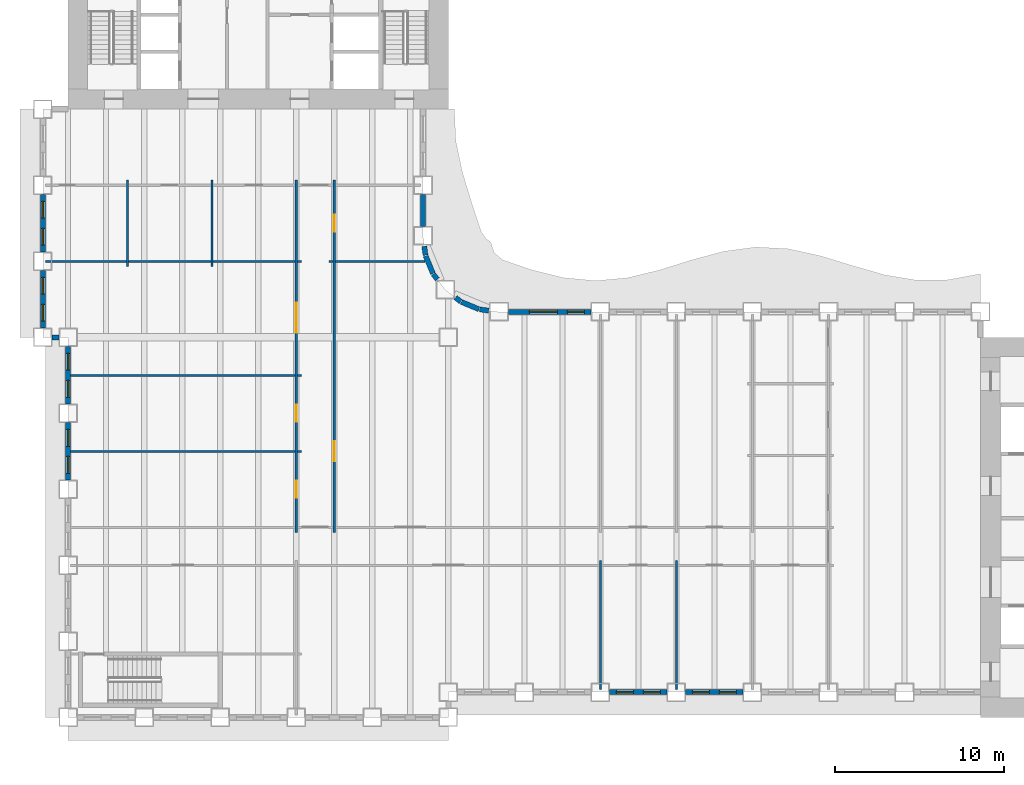
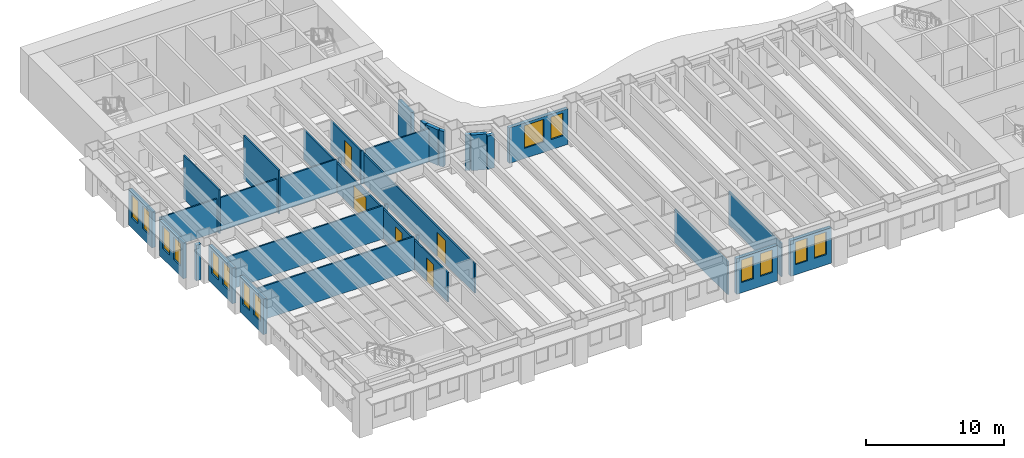
# One storey, part 4 of 15: 31 walls, 14 windows, 5 doors, 19 openings.
"""IFC4 building model written with IfcOpenShell, lengths in metres."""

from ifc_helpers import new_model, si_unit, direction, frame, frame_2d, origin, place, context, subcontext, project, spatial, rectangle, extrude, material, layer, layer_set, type_object, element, fill, save


model = new_model("IFC4")

# Units and contexts
model_context = context("Model", 3, precision=1e-05, world=origin(), true_north=direction((0.0, 1.0)))
body_context = subcontext(model_context, "Body", "Model", "MODEL_VIEW")
ifc_project = project(units=[si_unit("LENGTHUNIT", "METRE"), si_unit("AREAUNIT", "SQUARE_METRE"), si_unit("VOLUMEUNIT", "CUBIC_METRE"), si_unit("PLANEANGLEUNIT", "RADIAN"), si_unit("MASSUNIT", "GRAM", prefix="KILO")], contexts=[model_context])

# Site, building, storey
site_placement = place(None, origin())
site = spatial("IfcSite", under=ifc_project, at=site_placement, CompositionType="ELEMENT")
building_placement = place(site_placement, origin())
building = spatial("IfcBuilding", under=site, at=building_placement, Name="Sennacour Bend Tower", CompositionType="ELEMENT")
storey_placement = place(building_placement, frame((0.0, 0.0, 61.0)))
storey = spatial("IfcBuildingStorey", under=building, at=storey_placement, Name="L13", CompositionType="ELEMENT", Elevation=61.0)

# Walls
ifc_material_1 = material(Name="Plasterboard partition on steel studs", Category="steel")
ifc_layer_1 = layer(ifc_material_1, 0.1201171875, Name="Plasterboard partition on steel studs", Category="steel")
ifc_layer_set_1 = layer_set([ifc_layer_1], Name="Plasterboard partition on steel studs")
wall_type_1 = type_object("IfcWallType", Name="Partition 120", PredefinedType="PARTITIONING", material=ifc_layer_set_1)
for number, where, z_axis, x_axis, name in (
    (1, (3.5, 26.699951171875, 0.0), (0.0, 0.0, 1.0), (0.0, 1.0, 0.0), "P-L13-W004a"),
    (2, (8.5, 26.699951171875, 0.0), (0.0, 0.0, 1.0), (0.0, 1.0, 0.0), "P-L13-W008a"),
):
    element("IfcWall", number, at=place(storey_placement, frame(where, z_axis=z_axis, x_axis=x_axis)), inside=storey, type_object=wall_type_1, Name=name, PredefinedType="PARTITIONING", context=body_context, shape_type="SweptSolid", body=[
        extrude(rectangle(XDim=5.10009765625, YDim=0.1201171875, at=frame_2d((2.550048828125, 0.0))), origin(), (0.0, 0.0, 1.0), 3.85009765625),
    ])

# Wall, openings, doors
wall_1_placement = place(storey_placement, frame((13.5, 10.949951171875, 0.0), z_axis=(0.0, 0.0, 1.0), x_axis=(0.0, 1.0, 0.0)))
wall_1 = element("IfcWall", 3, at=wall_1_placement, inside=storey, type_object=wall_type_1, Name="P-L13-W013a", PredefinedType="PARTITIONING", context=body_context, shape_type="SweptSolid", body=[
    extrude(rectangle(XDim=20.85009765625, YDim=0.1201171875, at=frame_2d((10.425048828125, 0.0))), origin(), (0.0, 0.0, 1.0), 2.60009765625),
])
opening_1_placement = place(wall_1_placement, frame((2.050048828125, 0.0, 0.0)))
opening_1 = element("IfcOpeningElement", 4, at=opening_1_placement, cuts=wall_1, Name="Opening OD2", PredefinedType="OPENING", context=body_context, shape_type="SweptSolid", body=[
    extrude(rectangle(XDim=1.0, YDim=2.10009765625, at=frame_2d((0.5, 1.050048828125))), frame((0.0, 0.070068359375, 0.0), z_axis=(0.0, -1.0, 0.0), x_axis=(1.0, 0.0, 0.0)), (0.0, 0.0, 1.0), 0.14013671875),
])
opening_2_placement = place(wall_1_placement, frame((6.550048828125, 0.0, 0.0)))
opening_2 = element("IfcOpeningElement", 5, at=opening_2_placement, cuts=wall_1, Name="Opening OD2", PredefinedType="OPENING", context=body_context, shape_type="SweptSolid", body=[
    extrude(rectangle(XDim=1.0, YDim=2.10009765625, at=frame_2d((0.5, 1.050048828125))), frame((0.0, 0.070068359375, 0.0), z_axis=(0.0, -1.0, 0.0), x_axis=(1.0, 0.0, 0.0)), (0.0, 0.0, 1.0), 0.14013671875),
])
opening_3_placement = place(wall_1_placement, frame((11.804931640625, 0.0, 0.0)))
opening_3 = element("IfcOpeningElement", 6, at=opening_3_placement, cuts=wall_1, Name="Opening OD3", PredefinedType="OPENING", context=body_context, shape_type="SweptSolid", body=[
    extrude(rectangle(XDim=1.800048828125, YDim=2.10009765625, at=frame_2d((0.89990234375, 1.050048828125))), frame((0.0, 0.070068359375, 0.0), z_axis=(0.0, -1.0, 0.0), x_axis=(1.0, 0.0, 0.0)), (0.0, 0.0, 1.0), 0.14013671875),
])
ifc_material_2 = material(Name="Timber", Category="wood")
door_type_1 = type_object("IfcDoorType", Name="DR-OFFICE-1000", OperationType="NOTDEFINED", PredefinedType="DOOR", material=ifc_material_2)
door_1_placement = place(opening_1_placement, origin())
door_1 = element("IfcDoor", 7, at=door_1_placement, inside=storey, type_object=door_type_1, Name="Door", OperationType="SINGLE_SWING_LEFT", OverallHeight=2.10009765625, OverallWidth=1.0, PredefinedType="DOOR", context=body_context, shape_type="SweptSolid", body=[
    extrude(rectangle(XDim=1.0, YDim=2.10009765625, at=frame_2d((0.5, 1.050048828125))), frame((0.0, 0.02490234375, 0.0), z_axis=(0.0, -1.0, 0.0), x_axis=(1.0, 0.0, 0.0)), (0.0, 0.0, 1.0), 0.050048828125),
])
fill(opening_1, door_1)
door_2_placement = place(opening_2_placement, origin())
door_2 = element("IfcDoor", 8, at=door_2_placement, inside=storey, type_object=door_type_1, Name="Door", OperationType="SINGLE_SWING_LEFT", OverallHeight=2.10009765625, OverallWidth=1.0, PredefinedType="DOOR", context=body_context, shape_type="SweptSolid", body=[
    extrude(rectangle(XDim=1.0, YDim=2.10009765625, at=frame_2d((0.5, 1.050048828125))), frame((0.0, 0.02490234375, 0.0), z_axis=(0.0, -1.0, 0.0), x_axis=(1.0, 0.0, 0.0)), (0.0, 0.0, 1.0), 0.050048828125),
])
fill(opening_2, door_2)
door_type_2 = type_object("IfcDoorType", Name="DR-OFFICE-1800", OperationType="NOTDEFINED", PredefinedType="DOOR", material=ifc_material_2)
door_3_placement = place(opening_3_placement, origin())
door_3 = element("IfcDoor", 9, at=door_3_placement, inside=storey, type_object=door_type_2, Name="Door", OperationType="DOUBLE_DOOR_SINGLE_SWING", OverallHeight=2.10009765625, OverallWidth=1.800048828125, PredefinedType="DOOR", context=body_context, shape_type="SweptSolid", body=[
    extrude(rectangle(XDim=1.800048828125, YDim=2.10009765625, at=frame_2d((0.89990234375, 1.050048828125))), frame((0.0, 0.02490234375, 0.0), z_axis=(0.0, -1.0, 0.0), x_axis=(1.0, 0.0, 0.0)), (0.0, 0.0, 1.0), 0.050048828125),
])
fill(opening_3, door_3)

wall_2_placement = place(storey_placement, frame((15.75, 10.949951171875, 0.0), z_axis=(0.0, 0.0, 1.0), x_axis=(0.0, 1.0, 0.0)))
wall_2 = element("IfcWall", 10, at=wall_2_placement, inside=storey, type_object=wall_type_1, Name="P-L13-W017a", PredefinedType="PARTITIONING", context=body_context, shape_type="SweptSolid", body=[
    extrude(rectangle(XDim=20.85009765625, YDim=0.1201171875, at=frame_2d((10.425048828125, 0.0))), origin(), (0.0, 0.0, 1.0), 2.60009765625),
])
opening_4_placement = place(wall_2_placement, frame((17.800048828125, 0.0, 0.0)))
opening_4 = element("IfcOpeningElement", 11, at=opening_4_placement, cuts=wall_2, Name="Opening OD2", PredefinedType="OPENING", context=body_context, shape_type="SweptSolid", body=[
    extrude(rectangle(XDim=1.0, YDim=2.10009765625, at=frame_2d((0.5, 1.050048828125))), frame((0.0, 0.070068359375, 0.0), z_axis=(0.0, -1.0, 0.0), x_axis=(1.0, 0.0, 0.0)), (0.0, 0.0, 1.0), 0.14013671875),
])
opening_5_placement = place(wall_2_placement, frame((4.199951171875, 0.0, 0.0)))
opening_5 = element("IfcOpeningElement", 12, at=opening_5_placement, cuts=wall_2, Name="Opening OD", PredefinedType="OPENING", context=body_context, shape_type="SweptSolid", body=[
    extrude(rectangle(XDim=1.199951171875, YDim=2.10009765625, at=frame_2d((0.60009765625, 1.050048828125))), frame((0.0, 0.070068359375, 0.0), z_axis=(0.0, -1.0, 0.0), x_axis=(1.0, 0.0, 0.0)), (0.0, 0.0, 1.0), 0.14013671875),
])
door_4_placement = place(opening_4_placement, origin())
door_4 = element("IfcDoor", 13, at=door_4_placement, inside=storey, type_object=door_type_1, Name="Door", OperationType="SINGLE_SWING_RIGHT", OverallHeight=2.10009765625, OverallWidth=1.0, PredefinedType="DOOR", context=body_context, shape_type="SweptSolid", body=[
    extrude(rectangle(XDim=1.0, YDim=2.10009765625, at=frame_2d((0.5, 1.050048828125))), frame((0.0, 0.02490234375, 0.0), z_axis=(0.0, -1.0, 0.0), x_axis=(1.0, 0.0, 0.0)), (0.0, 0.0, 1.0), 0.050048828125),
])
fill(opening_4, door_4)
door_type_3 = type_object("IfcDoorType", Name="DR-OFFICE-1200", OperationType="NOTDEFINED", PredefinedType="DOOR", material=ifc_material_2)
door_5_placement = place(opening_5_placement, origin())
door_5 = element("IfcDoor", 14, at=door_5_placement, inside=storey, type_object=door_type_3, Name="Door", OperationType="SINGLE_SWING_LEFT", OverallHeight=2.10009765625, OverallWidth=1.199951171875, PredefinedType="DOOR", context=body_context, shape_type="SweptSolid", body=[
    extrude(rectangle(XDim=1.199951171875, YDim=2.10009765625, at=frame_2d((0.60009765625, 1.050048828125))), frame((0.0, 0.02490234375, 0.0), z_axis=(0.0, -1.0, 0.0), x_axis=(1.0, 0.0, 0.0)), (0.0, 0.0, 1.0), 0.050048828125),
])
fill(opening_5, door_5)

# Walls
for number, where, z_axis, x_axis, name in (
    (15, (31.5, 1.64990234375, 0.0), (0.0, 0.0, 1.0), (0.0, 1.0, 0.0), "P-L13-W023a"),
    (16, (36.0, 1.64990234375, 0.0), (0.0, 0.0, 1.0), (0.0, 1.0, 0.0), "P-L13-W025a"),
):
    element("IfcWall", number, at=place(storey_placement, frame(where, z_axis=z_axis, x_axis=x_axis)), inside=storey, type_object=wall_type_1, Name=name, PredefinedType="PARTITIONING", context=body_context, shape_type="SweptSolid", body=[
        extrude(rectangle(XDim=7.650146484375, YDim=0.1201171875, at=frame_2d((3.8251953125, 0.0))), origin(), (0.0, 0.0, 1.0), 2.93798828125),
    ])
wall_3_placement = place(storey_placement, frame((0.14990234375, 15.75, 0.0), z_axis=(0.0, 0.0, 1.0), x_axis=(1.0, 0.0, 0.0)))
element("IfcWall", 17, at=wall_3_placement, inside=storey, type_object=wall_type_1, Name="P-L13-W059aa", PredefinedType="PARTITIONING", context=body_context, shape_type="SweptSolid", body=[
    extrude(rectangle(XDim=13.2900390625, YDim=0.1201171875, at=frame_2d((6.64501953125, 0.0))), origin(), (0.0, 0.0, 1.0), 2.93798828125),
])
wall_4_placement = place(storey_placement, frame((13.56005859375, 15.75, 0.0), z_axis=(0.0, 0.0, 1.0), x_axis=(1.0, 0.0, 0.0)))
element("IfcWall", 18, at=wall_4_placement, inside=storey, type_object=wall_type_1, Name="P-L13-W059ab", PredefinedType="PARTITIONING", context=body_context, shape_type="SweptSolid", body=[
    extrude(rectangle(XDim=0.239990234375, YDim=0.1201171875, at=frame_2d((0.1201171875, 0.0))), origin(), (0.0, 0.0, 1.0), 2.93798828125),
])
wall_5_placement = place(storey_placement, frame((0.14990234375, 20.25, 0.0), z_axis=(0.0, 0.0, 1.0), x_axis=(1.0, 0.0, 0.0)))
element("IfcWall", 19, at=wall_5_placement, inside=storey, type_object=wall_type_1, Name="P-L13-W065aa", PredefinedType="PARTITIONING", context=body_context, shape_type="SweptSolid", body=[
    extrude(rectangle(XDim=13.2900390625, YDim=0.1201171875, at=frame_2d((6.64501953125, 0.0))), origin(), (0.0, 0.0, 1.0), 2.93798828125),
])
wall_6_placement = place(storey_placement, frame((13.56005859375, 20.25, 0.0), z_axis=(0.0, 0.0, 1.0), x_axis=(1.0, 0.0, 0.0)))
element("IfcWall", 20, at=wall_6_placement, inside=storey, type_object=wall_type_1, Name="P-L13-W065ab", PredefinedType="PARTITIONING", context=body_context, shape_type="SweptSolid", body=[
    extrude(rectangle(XDim=0.239990234375, YDim=0.1201171875, at=frame_2d((0.1201171875, 0.0))), origin(), (0.0, 0.0, 1.0), 2.93798828125),
])
wall_7_placement = place(storey_placement, frame((-1.35009765625, 27.0, 0.0), z_axis=(0.0, 0.0, 1.0), x_axis=(1.0, 0.0, 0.0)))
element("IfcWall", 21, at=wall_7_placement, inside=storey, type_object=wall_type_1, Name="P-L13-W067aa", PredefinedType="PARTITIONING", context=body_context, shape_type="SweptSolid", body=[
    extrude(rectangle(XDim=4.7900390625, YDim=0.1201171875, at=frame_2d((2.39501953125, 0.0))), origin(), (0.0, 0.0, 1.0), 2.93798828125),
])
for number, where, z_axis, x_axis, name in (
    (22, (3.56005859375, 27.0, 0.0), (0.0, 0.0, 1.0), (1.0, 0.0, 0.0), "P-L13-W067ab"),
    (23, (8.56005859375, 27.0, 0.0), (0.0, 0.0, 1.0), (1.0, 0.0, 0.0), "P-L13-W067ac"),
):
    element("IfcWall", number, at=place(storey_placement, frame(where, z_axis=z_axis, x_axis=x_axis)), inside=storey, type_object=wall_type_1, Name=name, PredefinedType="PARTITIONING", context=body_context, shape_type="SweptSolid", body=[
        extrude(rectangle(XDim=4.8798828125, YDim=0.1201171875, at=frame_2d((2.43994140625, 0.0))), origin(), (0.0, 0.0, 1.0), 2.93798828125),
    ])
for number, where, z_axis, x_axis, name in (
    (24, (13.56005859375, 27.0, 0.0), (0.0, 0.0, 1.0), (1.0, 0.0, 0.0), "P-L13-W067ad"),
    (25, (15.449951171875, 27.0, 0.0), (0.0, 0.0, 1.0), (1.0, 0.0, 0.0), "P-L13-W068aa"),
):
    element("IfcWall", number, at=place(storey_placement, frame(where, z_axis=z_axis, x_axis=x_axis)), inside=storey, type_object=wall_type_1, Name=name, PredefinedType="PARTITIONING", context=body_context, shape_type="SweptSolid", body=[
        extrude(rectangle(XDim=0.239990234375, YDim=0.1201171875, at=frame_2d((0.1201171875, 0.0))), origin(), (0.0, 0.0, 1.0), 2.93798828125),
    ])
wall_8_placement = place(storey_placement, frame((15.81005859375, 27.0, 0.0), z_axis=(0.0, 0.0, 1.0), x_axis=(1.0, 0.0, 0.0)))
element("IfcWall", 26, at=wall_8_placement, inside=storey, type_object=wall_type_1, Name="P-L13-W068ab", PredefinedType="PARTITIONING", context=body_context, shape_type="SweptSolid", body=[
    extrude(rectangle(XDim=5.31982421875, YDim=0.1201171875, at=frame_2d((2.659912109375, 0.0))), origin(), (0.0, 0.0, 1.0), 2.93798828125),
])

# Wall, openings, windows
ifc_material_3 = material(Name="Warm limestone cladding", Category="masonry")
ifc_layer_2 = layer(ifc_material_3, 0.050048828125, Name="Warm limestone cladding", Category="masonry")
ifc_material_4 = material(Name="Precast concrete C40/50", Category="concrete")
ifc_layer_3 = layer(ifc_material_4, 0.25, Name="Precast concrete C40/50", Category="concrete")
ifc_layer_set_2 = layer_set([ifc_layer_2, ifc_layer_3], Name="Precast concrete C40/50 with limestone cladding")
wall_type_2 = type_object("IfcWallType", Name="STONE-CLAD PRECAST SPANDREL 300", PredefinedType="STANDARD", material=ifc_layer_set_2)
wall_9_placement = place(storey_placement, frame((32.050048828125, 1.5, 0.0), z_axis=(0.0, 0.0, 1.0), x_axis=(1.0, 0.0, 0.0)))
wall_9 = element("IfcWall", 27, at=wall_9_placement, inside=storey, type_object=wall_type_2, Name="Stone spandrel and pier wall L13 02.02", PredefinedType="STANDARD", context=body_context, shape_type="SweptSolid", body=[
    extrude(rectangle(XDim=3.39990234375, YDim=0.300048828125, at=frame_2d((1.699951171875, 0.0))), origin(), (0.0, 0.0, 1.0), 3.14404296875),
])
opening_6_placement = place(wall_9_placement, frame((0.39990234375, 0.0, 0.89990234375)))
opening_6 = element("IfcOpeningElement", 28, at=opening_6_placement, cuts=wall_9, Name="Opening W8", PredefinedType="OPENING", context=body_context, shape_type="SweptSolid", body=[
    extrude(rectangle(XDim=1.0, YDim=2.0, at=frame_2d((0.5, 1.0))), frame((0.0, 0.16015625, 0.0), z_axis=(0.0, -1.0, 0.0), x_axis=(1.0, 0.0, 0.0)), (0.0, 0.0, 1.0), 0.320068359375),
])
opening_7_placement = place(wall_9_placement, frame((2.0, 0.0, 0.89990234375)))
opening_7 = element("IfcOpeningElement", 29, at=opening_7_placement, cuts=wall_9, Name="Opening W8", PredefinedType="OPENING", context=body_context, shape_type="SweptSolid", body=[
    extrude(rectangle(XDim=1.0, YDim=2.0, at=frame_2d((0.5, 1.0))), frame((0.0, 0.16015625, 0.0), z_axis=(0.0, -1.0, 0.0), x_axis=(1.0, 0.0, 0.0)), (0.0, 0.0, 1.0), 0.320068359375),
])
ifc_material_5 = material(Name="Clear low-emissivity glass", Category="glass")
window_type_1 = type_object("IfcWindowType", Name="WIN-RIBBON-1000x2000", PartitioningType="SINGLE_PANEL", PredefinedType="WINDOW", material=ifc_material_5)
window_1_placement = place(opening_6_placement, origin())
window_1 = element("IfcWindow", 30, at=window_1_placement, inside=storey, type_object=window_type_1, Name="Ribbon window L13 02.02.0", OverallHeight=2.0, OverallWidth=1.0, PartitioningType="SINGLE_PANEL", PredefinedType="WINDOW", context=body_context, shape_type="SweptSolid", body=[
    extrude(rectangle(XDim=1.0, YDim=2.0, at=frame_2d((0.5, 1.0))), frame((0.0, 0.030029296875, 0.0), z_axis=(0.0, -1.0, 0.0), x_axis=(1.0, 0.0, 0.0)), (0.0, 0.0, 1.0), 0.06005859375),
])
fill(opening_6, window_1)
window_2_placement = place(opening_7_placement, origin())
window_2 = element("IfcWindow", 31, at=window_2_placement, inside=storey, type_object=window_type_1, Name="Ribbon window L13 02.02.1", OverallHeight=2.0, OverallWidth=1.0, PartitioningType="SINGLE_PANEL", PredefinedType="WINDOW", context=body_context, shape_type="SweptSolid", body=[
    extrude(rectangle(XDim=1.0, YDim=2.0, at=frame_2d((0.5, 1.0))), frame((0.0, 0.030029296875, 0.0), z_axis=(0.0, -1.0, 0.0), x_axis=(1.0, 0.0, 0.0)), (0.0, 0.0, 1.0), 0.06005859375),
])
fill(opening_7, window_2)

wall_10_placement = place(storey_placement, frame((36.550048828125, 1.5, 0.0), z_axis=(0.0, 0.0, 1.0), x_axis=(1.0, 0.0, 0.0)))
wall_10 = element("IfcWall", 32, at=wall_10_placement, inside=storey, type_object=wall_type_2, Name="Stone spandrel and pier wall L13 02.03", PredefinedType="STANDARD", context=body_context, shape_type="SweptSolid", body=[
    extrude(rectangle(XDim=3.39990234375, YDim=0.300048828125, at=frame_2d((1.699951171875, 0.0))), origin(), (0.0, 0.0, 1.0), 3.14404296875),
])
opening_8_placement = place(wall_10_placement, frame((0.39990234375, 0.0, 0.89990234375)))
opening_8 = element("IfcOpeningElement", 33, at=opening_8_placement, cuts=wall_10, Name="Opening W8", PredefinedType="OPENING", context=body_context, shape_type="SweptSolid", body=[
    extrude(rectangle(XDim=1.0, YDim=2.0, at=frame_2d((0.5, 1.0))), frame((0.0, 0.16015625, 0.0), z_axis=(0.0, -1.0, 0.0), x_axis=(1.0, 0.0, 0.0)), (0.0, 0.0, 1.0), 0.320068359375),
])
opening_9_placement = place(wall_10_placement, frame((2.0, 0.0, 0.89990234375)))
opening_9 = element("IfcOpeningElement", 34, at=opening_9_placement, cuts=wall_10, Name="Opening W8", PredefinedType="OPENING", context=body_context, shape_type="SweptSolid", body=[
    extrude(rectangle(XDim=1.0, YDim=2.0, at=frame_2d((0.5, 1.0))), frame((0.0, 0.16015625, 0.0), z_axis=(0.0, -1.0, 0.0), x_axis=(1.0, 0.0, 0.0)), (0.0, 0.0, 1.0), 0.320068359375),
])
window_3_placement = place(opening_8_placement, origin())
window_3 = element("IfcWindow", 35, at=window_3_placement, inside=storey, type_object=window_type_1, Name="Ribbon window L13 02.03.0", OverallHeight=2.0, OverallWidth=1.0, PartitioningType="SINGLE_PANEL", PredefinedType="WINDOW", context=body_context, shape_type="SweptSolid", body=[
    extrude(rectangle(XDim=1.0, YDim=2.0, at=frame_2d((0.5, 1.0))), frame((0.0, 0.030029296875, 0.0), z_axis=(0.0, -1.0, 0.0), x_axis=(1.0, 0.0, 0.0)), (0.0, 0.0, 1.0), 0.06005859375),
])
fill(opening_8, window_3)
window_4_placement = place(opening_9_placement, origin())
window_4 = element("IfcWindow", 36, at=window_4_placement, inside=storey, type_object=window_type_1, Name="Ribbon window L13 02.03.1", OverallHeight=2.0, OverallWidth=1.0, PartitioningType="SINGLE_PANEL", PredefinedType="WINDOW", context=body_context, shape_type="SweptSolid", body=[
    extrude(rectangle(XDim=1.0, YDim=2.0, at=frame_2d((0.5, 1.0))), frame((0.0, 0.030029296875, 0.0), z_axis=(0.0, -1.0, 0.0), x_axis=(1.0, 0.0, 0.0)), (0.0, 0.0, 1.0), 0.06005859375),
])
fill(opening_9, window_4)

wall_11_placement = place(storey_placement, frame((30.949951171875, 24.0, 0.0), z_axis=(0.0, 0.0, 1.0), x_axis=(-1.0, 0.0, 0.0)))
wall_11 = element("IfcWall", 37, at=wall_11_placement, inside=storey, type_object=wall_type_2, Name="Stone spandrel and pier wall L13 08.05", PredefinedType="STANDARD", context=body_context, shape_type="SweptSolid", body=[
    extrude(rectangle(XDim=4.89990234375, YDim=0.300048828125, at=frame_2d((2.449951171875, 0.0))), origin(), (0.0, 0.0, 1.0), 3.14404296875),
])
opening_10_placement = place(wall_11_placement, frame((0.39990234375, 0.0, 0.89990234375)))
opening_10 = element("IfcOpeningElement", 38, at=opening_10_placement, cuts=wall_11, Name="Opening W8", PredefinedType="OPENING", context=body_context, shape_type="SweptSolid", body=[
    extrude(rectangle(XDim=1.0, YDim=2.0, at=frame_2d((0.5, 1.0))), frame((0.0, 0.16015625, 0.0), z_axis=(0.0, -1.0, 0.0), x_axis=(1.0, 0.0, 0.0)), (0.0, 0.0, 1.0), 0.320068359375),
])
opening_11_placement = place(wall_11_placement, frame((2.0, 0.0, 0.89990234375)))
opening_11 = element("IfcOpeningElement", 39, at=opening_11_placement, cuts=wall_11, Name="Opening W10", PredefinedType="OPENING", context=body_context, shape_type="SweptSolid", body=[
    extrude(rectangle(XDim=1.64990234375, YDim=2.0, at=frame_2d((0.824951171875, 1.0))), frame((0.0, 0.16015625, 0.0), z_axis=(0.0, -1.0, 0.0), x_axis=(1.0, 0.0, 0.0)), (0.0, 0.0, 1.0), 0.320068359375),
])
window_5_placement = place(opening_10_placement, origin())
window_5 = element("IfcWindow", 40, at=window_5_placement, inside=storey, type_object=window_type_1, Name="Ribbon window L13 08.05.0", OverallHeight=2.0, OverallWidth=1.0, PartitioningType="SINGLE_PANEL", PredefinedType="WINDOW", context=body_context, shape_type="SweptSolid", body=[
    extrude(rectangle(XDim=1.0, YDim=2.0, at=frame_2d((0.5, 1.0))), frame((0.0, 0.030029296875, 0.0), z_axis=(0.0, -1.0, 0.0), x_axis=(1.0, 0.0, 0.0)), (0.0, 0.0, 1.0), 0.06005859375),
])
fill(opening_10, window_5)
window_type_2 = type_object("IfcWindowType", Name="WIN-RIBBON-1650x2000", PartitioningType="SINGLE_PANEL", PredefinedType="WINDOW", material=ifc_material_5)
window_6_placement = place(opening_11_placement, origin())
window_6 = element("IfcWindow", 41, at=window_6_placement, inside=storey, type_object=window_type_2, Name="Ribbon window L13 08.05.1", OverallHeight=2.0, OverallWidth=1.64990234375, PartitioningType="SINGLE_PANEL", PredefinedType="WINDOW", context=body_context, shape_type="SweptSolid", body=[
    extrude(rectangle(XDim=1.64990234375, YDim=2.0, at=frame_2d((0.824951171875, 1.0))), frame((0.0, 0.030029296875, 0.0), z_axis=(0.0, -1.0, 0.0), x_axis=(1.0, 0.0, 0.0)), (0.0, 0.0, 1.0), 0.06005859375),
])
fill(opening_11, window_6)

# Walls
wall_12_placement = place(storey_placement, frame((24.88818359375, 24.08056640625, 0.0), z_axis=(0.0, 0.0, 1.0), x_axis=(-0.991417173479, 0.130736330569, 0.0)))
element("IfcWall", 42, at=wall_12_placement, inside=storey, type_object=wall_type_2, Name="Stone spandrel and pier wall L13 09.00", PredefinedType="STANDARD", context=body_context, shape_type="SweptSolid", body=[
    extrude(rectangle(XDim=0.537841796875, YDim=0.300048828125, at=frame_2d((0.26904296875, 0.0))), origin(), (0.0, 0.0, 1.0), 2.93798828125),
])
wall_13_placement = place(storey_placement, frame((24.317138671875, 24.160888671875, 0.0), z_axis=(0.0, 0.0, 1.0), x_axis=(-0.923914616768, 0.382598720491, 0.0)))
element("IfcWall", 43, at=wall_13_placement, inside=storey, type_object=wall_type_2, Name="Stone spandrel and pier wall L13 10.00", PredefinedType="STANDARD", context=body_context, shape_type="SweptSolid", body=[
    extrude(rectangle(XDim=1.13525390625, YDim=0.300048828125, at=frame_2d((0.567626953125, 0.0))), origin(), (0.0, 0.0, 1.0), 3.14404296875),
])
for number, where, z_axis, x_axis, name in (
    (44, (23.234375, 24.614990234375, 0.0), (0.0, 0.0, 1.0), (-0.79354495224, 0.60851163405, 0.0), "Stone spandrel and pier wall L13 11.00"),
    (45, (21.8486328125, 25.9296875, 0.0), (0.0, 0.0, 1.0), (-0.60851163405, 0.79354495224, 0.0), "Stone spandrel and pier wall L13 12.00"),
):
    element("IfcWall", number, at=place(storey_placement, frame(where, z_axis=z_axis, x_axis=x_axis)), inside=storey, type_object=wall_type_2, Name=name, PredefinedType="STANDARD", context=body_context, shape_type="SweptSolid", body=[
        extrude(rectangle(XDim=0.384033203125, YDim=0.300048828125, at=frame_2d((0.19189453125, 0.0))), origin(), (0.0, 0.0, 1.0), 3.14404296875),
    ])
wall_14_placement = place(storey_placement, frame((21.59521484375, 26.268310546875, 0.0), z_axis=(0.0, 0.0, 1.0), x_axis=(-0.382598720491, 0.923914616768, 0.0)))
element("IfcWall", 46, at=wall_14_placement, inside=storey, type_object=wall_type_2, Name="Stone spandrel and pier wall L13 13.00", PredefinedType="STANDARD", context=body_context, shape_type="SweptSolid", body=[
    extrude(rectangle(XDim=1.13525390625, YDim=0.300048828125, at=frame_2d((0.567626953125, 0.0))), origin(), (0.0, 0.0, 1.0), 3.14404296875),
])
wall_15_placement = place(storey_placement, frame((21.15087890625, 27.35498046875, 0.0), z_axis=(0.0, 0.0, 1.0), x_axis=(-0.130736330569, 0.991417173479, 0.0)))
element("IfcWall", 47, at=wall_15_placement, inside=storey, type_object=wall_type_2, Name="Stone spandrel and pier wall L13 14.00", PredefinedType="STANDARD", context=body_context, shape_type="SweptSolid", body=[
    extrude(rectangle(XDim=0.537841796875, YDim=0.300048828125, at=frame_2d((0.26904296875, 0.0))), origin(), (0.0, 0.0, 1.0), 3.14404296875),
])
wall_16_placement = place(storey_placement, frame((21.0, 29.050048828125, 0.0), z_axis=(0.0, 0.0, 1.0), x_axis=(0.0, 1.0, 0.0)))
element("IfcWall", 48, at=wall_16_placement, inside=storey, type_object=wall_type_2, Name="Stone spandrel and pier wall L13 15.00", PredefinedType="STANDARD", context=body_context, shape_type="SweptSolid", body=[
    extrude(rectangle(XDim=1.89990234375, YDim=0.300048828125, at=frame_2d((0.949951171875, 0.0))), origin(), (0.0, 0.0, 1.0), 3.14404296875),
])

# Wall, openings, windows
wall_17_placement = place(storey_placement, frame((-1.5, 30.949951171875, 0.0), z_axis=(0.0, 0.0, 1.0), x_axis=(0.0, -1.0, 0.0)))
wall_17 = element("IfcWall", 49, at=wall_17_placement, inside=storey, type_object=wall_type_2, Name="Stone spandrel and pier wall L13 21.01", PredefinedType="STANDARD", context=body_context, shape_type="SweptSolid", body=[
    extrude(rectangle(XDim=3.39990234375, YDim=0.300048828125, at=frame_2d((1.699951171875, 0.0))), origin(), (0.0, 0.0, 1.0), 3.14404296875),
])
opening_12_placement = place(wall_17_placement, frame((0.39990234375, 0.0, 0.89990234375)))
opening_12 = element("IfcOpeningElement", 50, at=opening_12_placement, cuts=wall_17, Name="Opening W8", PredefinedType="OPENING", context=body_context, shape_type="SweptSolid", body=[
    extrude(rectangle(XDim=1.0, YDim=2.0, at=frame_2d((0.5, 1.0))), frame((0.0, 0.16015625, 0.0), z_axis=(0.0, -1.0, 0.0), x_axis=(1.0, 0.0, 0.0)), (0.0, 0.0, 1.0), 0.320068359375),
])
opening_13_placement = place(wall_17_placement, frame((2.0, 0.0, 0.89990234375)))
opening_13 = element("IfcOpeningElement", 51, at=opening_13_placement, cuts=wall_17, Name="Opening W8", PredefinedType="OPENING", context=body_context, shape_type="SweptSolid", body=[
    extrude(rectangle(XDim=1.0, YDim=2.0, at=frame_2d((0.5, 1.0))), frame((0.0, 0.16015625, 0.0), z_axis=(0.0, -1.0, 0.0), x_axis=(1.0, 0.0, 0.0)), (0.0, 0.0, 1.0), 0.320068359375),
])
window_7_placement = place(opening_12_placement, origin())
window_7 = element("IfcWindow", 52, at=window_7_placement, inside=storey, type_object=window_type_1, Name="Ribbon window L13 21.01.0", OverallHeight=2.0, OverallWidth=1.0, PartitioningType="SINGLE_PANEL", PredefinedType="WINDOW", context=body_context, shape_type="SweptSolid", body=[
    extrude(rectangle(XDim=1.0, YDim=2.0, at=frame_2d((0.5, 1.0))), frame((0.0, 0.030029296875, 0.0), z_axis=(0.0, -1.0, 0.0), x_axis=(1.0, 0.0, 0.0)), (0.0, 0.0, 1.0), 0.06005859375),
])
fill(opening_12, window_7)
window_8_placement = place(opening_13_placement, origin())
window_8 = element("IfcWindow", 53, at=window_8_placement, inside=storey, type_object=window_type_1, Name="Ribbon window L13 21.01.1", OverallHeight=2.0, OverallWidth=1.0, PartitioningType="SINGLE_PANEL", PredefinedType="WINDOW", context=body_context, shape_type="SweptSolid", body=[
    extrude(rectangle(XDim=1.0, YDim=2.0, at=frame_2d((0.5, 1.0))), frame((0.0, 0.030029296875, 0.0), z_axis=(0.0, -1.0, 0.0), x_axis=(1.0, 0.0, 0.0)), (0.0, 0.0, 1.0), 0.06005859375),
])
fill(opening_13, window_8)

wall_18_placement = place(storey_placement, frame((-1.5, 26.449951171875, 0.0), z_axis=(0.0, 0.0, 1.0), x_axis=(0.0, -1.0, 0.0)))
wall_18 = element("IfcWall", 54, at=wall_18_placement, inside=storey, type_object=wall_type_2, Name="Stone spandrel and pier wall L13 21.02", PredefinedType="STANDARD", context=body_context, shape_type="SweptSolid", body=[
    extrude(rectangle(XDim=3.39990234375, YDim=0.300048828125, at=frame_2d((1.699951171875, 0.0))), origin(), (0.0, 0.0, 1.0), 3.14404296875),
])
opening_14_placement = place(wall_18_placement, frame((0.39990234375, 0.0, 0.89990234375)))
opening_14 = element("IfcOpeningElement", 55, at=opening_14_placement, cuts=wall_18, Name="Opening W8", PredefinedType="OPENING", context=body_context, shape_type="SweptSolid", body=[
    extrude(rectangle(XDim=1.0, YDim=2.0, at=frame_2d((0.5, 1.0))), frame((0.0, 0.16015625, 0.0), z_axis=(0.0, -1.0, 0.0), x_axis=(1.0, 0.0, 0.0)), (0.0, 0.0, 1.0), 0.320068359375),
])
opening_15_placement = place(wall_18_placement, frame((2.0, 0.0, 0.89990234375)))
opening_15 = element("IfcOpeningElement", 56, at=opening_15_placement, cuts=wall_18, Name="Opening W8", PredefinedType="OPENING", context=body_context, shape_type="SweptSolid", body=[
    extrude(rectangle(XDim=1.0, YDim=2.0, at=frame_2d((0.5, 1.0))), frame((0.0, 0.16015625, 0.0), z_axis=(0.0, -1.0, 0.0), x_axis=(1.0, 0.0, 0.0)), (0.0, 0.0, 1.0), 0.320068359375),
])
window_9_placement = place(opening_14_placement, origin())
window_9 = element("IfcWindow", 57, at=window_9_placement, inside=storey, type_object=window_type_1, Name="Ribbon window L13 21.02.0", OverallHeight=2.0, OverallWidth=1.0, PartitioningType="SINGLE_PANEL", PredefinedType="WINDOW", context=body_context, shape_type="SweptSolid", body=[
    extrude(rectangle(XDim=1.0, YDim=2.0, at=frame_2d((0.5, 1.0))), frame((0.0, 0.030029296875, 0.0), z_axis=(0.0, -1.0, 0.0), x_axis=(1.0, 0.0, 0.0)), (0.0, 0.0, 1.0), 0.06005859375),
])
fill(opening_14, window_9)
window_10_placement = place(opening_15_placement, origin())
window_10 = element("IfcWindow", 58, at=window_10_placement, inside=storey, type_object=window_type_1, Name="Ribbon window L13 21.02.1", OverallHeight=2.0, OverallWidth=1.0, PartitioningType="SINGLE_PANEL", PredefinedType="WINDOW", context=body_context, shape_type="SweptSolid", body=[
    extrude(rectangle(XDim=1.0, YDim=2.0, at=frame_2d((0.5, 1.0))), frame((0.0, 0.030029296875, 0.0), z_axis=(0.0, -1.0, 0.0), x_axis=(1.0, 0.0, 0.0)), (0.0, 0.0, 1.0), 0.06005859375),
])
fill(opening_15, window_10)

# Wall
wall_19_placement = place(storey_placement, frame((-0.949951171875, 22.5, 0.0), z_axis=(0.0, 0.0, 1.0), x_axis=(1.0, 0.0, 0.0)))
element("IfcWall", 59, at=wall_19_placement, inside=storey, type_object=wall_type_2, Name="Stone spandrel and pier wall L13 22.00", PredefinedType="STANDARD", context=body_context, shape_type="SweptSolid", body=[
    extrude(rectangle(XDim=0.39990234375, YDim=0.300048828125, at=frame_2d((0.199951171875, 0.0))), origin(), (0.0, 0.0, 1.0), 3.14404296875),
])

# Wall, openings, windows
wall_20_placement = place(storey_placement, frame((0.0, 21.949951171875, 0.0), z_axis=(0.0, 0.0, 1.0), x_axis=(0.0, -1.0, 0.0)))
wall_20 = element("IfcWall", 60, at=wall_20_placement, inside=storey, type_object=wall_type_2, Name="Stone spandrel and pier wall L13 23.00", PredefinedType="STANDARD", context=body_context, shape_type="SweptSolid", body=[
    extrude(rectangle(XDim=3.39990234375, YDim=0.300048828125, at=frame_2d((1.699951171875, 0.0))), origin(), (0.0, 0.0, 1.0), 3.14404296875),
])
opening_16_placement = place(wall_20_placement, frame((0.39990234375, 0.0, 0.89990234375)))
opening_16 = element("IfcOpeningElement", 61, at=opening_16_placement, cuts=wall_20, Name="Opening W8", PredefinedType="OPENING", context=body_context, shape_type="SweptSolid", body=[
    extrude(rectangle(XDim=1.0, YDim=2.0, at=frame_2d((0.5, 1.0))), frame((0.0, 0.16015625, 0.0), z_axis=(0.0, -1.0, 0.0), x_axis=(1.0, 0.0, 0.0)), (0.0, 0.0, 1.0), 0.320068359375),
])
opening_17_placement = place(wall_20_placement, frame((2.0, 0.0, 0.89990234375)))
opening_17 = element("IfcOpeningElement", 62, at=opening_17_placement, cuts=wall_20, Name="Opening W8", PredefinedType="OPENING", context=body_context, shape_type="SweptSolid", body=[
    extrude(rectangle(XDim=1.0, YDim=2.0, at=frame_2d((0.5, 1.0))), frame((0.0, 0.16015625, 0.0), z_axis=(0.0, -1.0, 0.0), x_axis=(1.0, 0.0, 0.0)), (0.0, 0.0, 1.0), 0.320068359375),
])
window_11_placement = place(opening_16_placement, origin())
window_11 = element("IfcWindow", 63, at=window_11_placement, inside=storey, type_object=window_type_1, Name="Ribbon window L13 23.00.0", OverallHeight=2.0, OverallWidth=1.0, PartitioningType="SINGLE_PANEL", PredefinedType="WINDOW", context=body_context, shape_type="SweptSolid", body=[
    extrude(rectangle(XDim=1.0, YDim=2.0, at=frame_2d((0.5, 1.0))), frame((0.0, 0.030029296875, 0.0), z_axis=(0.0, -1.0, 0.0), x_axis=(1.0, 0.0, 0.0)), (0.0, 0.0, 1.0), 0.06005859375),
])
fill(opening_16, window_11)
window_12_placement = place(opening_17_placement, origin())
window_12 = element("IfcWindow", 64, at=window_12_placement, inside=storey, type_object=window_type_1, Name="Ribbon window L13 23.00.1", OverallHeight=2.0, OverallWidth=1.0, PartitioningType="SINGLE_PANEL", PredefinedType="WINDOW", context=body_context, shape_type="SweptSolid", body=[
    extrude(rectangle(XDim=1.0, YDim=2.0, at=frame_2d((0.5, 1.0))), frame((0.0, 0.030029296875, 0.0), z_axis=(0.0, -1.0, 0.0), x_axis=(1.0, 0.0, 0.0)), (0.0, 0.0, 1.0), 0.06005859375),
])
fill(opening_17, window_12)

wall_21_placement = place(storey_placement, frame((0.0, 17.449951171875, 0.0), z_axis=(0.0, 0.0, 1.0), x_axis=(0.0, -1.0, 0.0)))
wall_21 = element("IfcWall", 65, at=wall_21_placement, inside=storey, type_object=wall_type_2, Name="Stone spandrel and pier wall L13 23.01", PredefinedType="STANDARD", context=body_context, shape_type="SweptSolid", body=[
    extrude(rectangle(XDim=3.39990234375, YDim=0.300048828125, at=frame_2d((1.699951171875, 0.0))), origin(), (0.0, 0.0, 1.0), 3.14404296875),
])
opening_18_placement = place(wall_21_placement, frame((0.39990234375, 0.0, 0.89990234375)))
opening_18 = element("IfcOpeningElement", 66, at=opening_18_placement, cuts=wall_21, Name="Opening W8", PredefinedType="OPENING", context=body_context, shape_type="SweptSolid", body=[
    extrude(rectangle(XDim=1.0, YDim=2.0, at=frame_2d((0.5, 1.0))), frame((0.0, 0.16015625, 0.0), z_axis=(0.0, -1.0, 0.0), x_axis=(1.0, 0.0, 0.0)), (0.0, 0.0, 1.0), 0.320068359375),
])
opening_19_placement = place(wall_21_placement, frame((2.0, 0.0, 0.89990234375)))
opening_19 = element("IfcOpeningElement", 67, at=opening_19_placement, cuts=wall_21, Name="Opening W8", PredefinedType="OPENING", context=body_context, shape_type="SweptSolid", body=[
    extrude(rectangle(XDim=1.0, YDim=2.0, at=frame_2d((0.5, 1.0))), frame((0.0, 0.16015625, 0.0), z_axis=(0.0, -1.0, 0.0), x_axis=(1.0, 0.0, 0.0)), (0.0, 0.0, 1.0), 0.320068359375),
])
window_13_placement = place(opening_18_placement, origin())
window_13 = element("IfcWindow", 68, at=window_13_placement, inside=storey, type_object=window_type_1, Name="Ribbon window L13 23.01.0", OverallHeight=2.0, OverallWidth=1.0, PartitioningType="SINGLE_PANEL", PredefinedType="WINDOW", context=body_context, shape_type="SweptSolid", body=[
    extrude(rectangle(XDim=1.0, YDim=2.0, at=frame_2d((0.5, 1.0))), frame((0.0, 0.030029296875, 0.0), z_axis=(0.0, -1.0, 0.0), x_axis=(1.0, 0.0, 0.0)), (0.0, 0.0, 1.0), 0.06005859375),
])
fill(opening_18, window_13)
window_14_placement = place(opening_19_placement, origin())
window_14 = element("IfcWindow", 69, at=window_14_placement, inside=storey, type_object=window_type_1, Name="Ribbon window L13 23.01.1", OverallHeight=2.0, OverallWidth=1.0, PartitioningType="SINGLE_PANEL", PredefinedType="WINDOW", context=body_context, shape_type="SweptSolid", body=[
    extrude(rectangle(XDim=1.0, YDim=2.0, at=frame_2d((0.5, 1.0))), frame((0.0, 0.030029296875, 0.0), z_axis=(0.0, -1.0, 0.0), x_axis=(1.0, 0.0, 0.0)), (0.0, 0.0, 1.0), 0.06005859375),
])
fill(opening_19, window_14)

save(model, "model.ifc")
